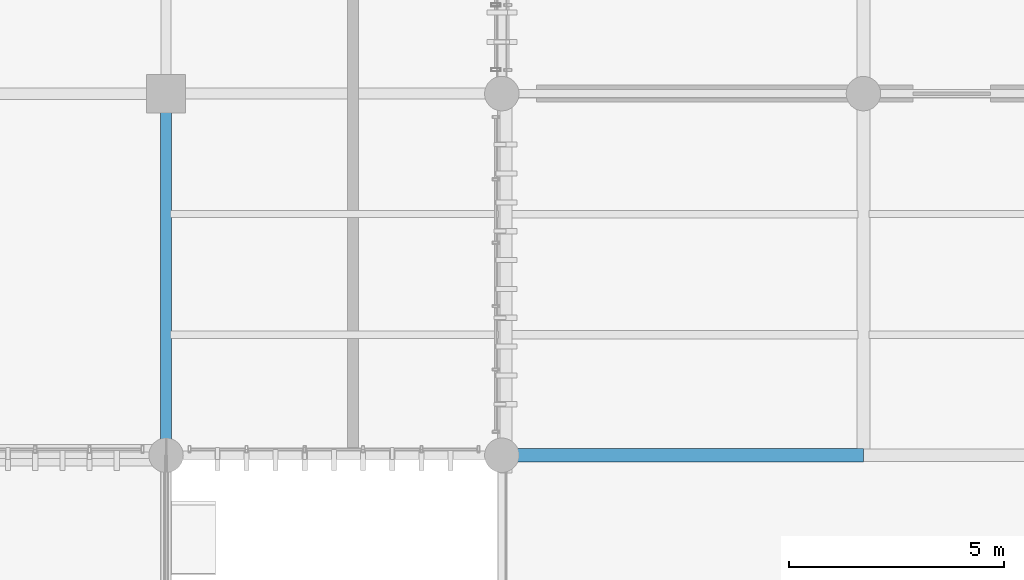
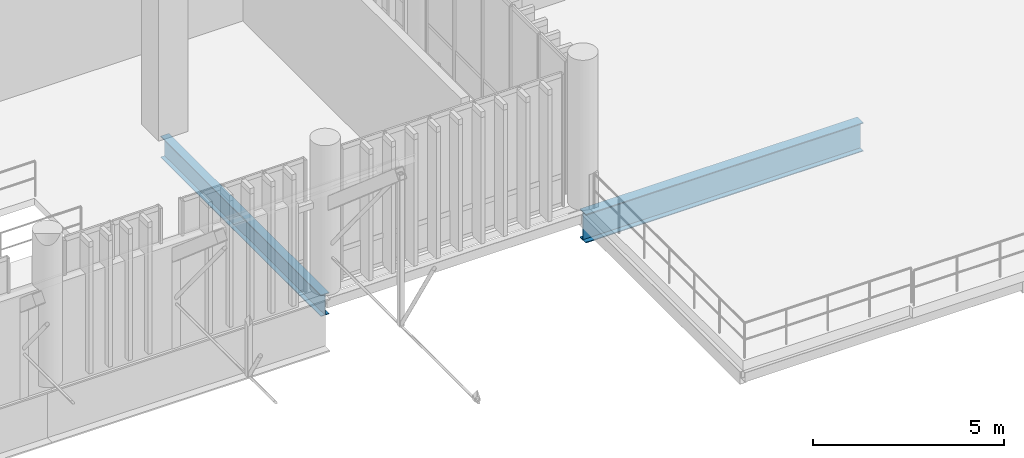
# One storey, part 23 of 109: 2 beams.
"""IFC4 building model written with IfcOpenShell, lengths in metres."""

from ifc_helpers import new_model, si_unit, direction, frame, origin_with_axes, origin_2d_with_axis, place, context, subcontext, project, spatial, i_section, extrude, material, material_profile, profile_set, type_object, element, save


model = new_model("IFC4")

# Units and contexts
model_context = context("Model", 3, precision=1e-05, world=origin_with_axes(), true_north=direction((0.0, 1.0)))
body_context = subcontext(model_context, "Body", "Model", "MODEL_VIEW")
ifc_project = project(units=[si_unit("LENGTHUNIT", "METRE"), si_unit("AREAUNIT", "SQUARE_METRE"), si_unit("VOLUMEUNIT", "CUBIC_METRE"), si_unit("PLANEANGLEUNIT", "RADIAN"), si_unit("MASSUNIT", "GRAM", prefix="KILO"), si_unit("THERMODYNAMICTEMPERATUREUNIT", "KELVIN")], contexts=[model_context])

# Site, building, storey
site_placement = place(None, origin_with_axes())
site = spatial("IfcSite", under=ifc_project, at=site_placement, CompositionType="ELEMENT")
building_placement = place(site_placement, origin_with_axes())
building = spatial("IfcBuilding", under=site, at=building_placement, Name="Montbau Bow Law Courts", CompositionType="ELEMENT")
storey_placement = place(building_placement, frame((0.0, 0.0, 10.8), z_axis=(0.0, 0.0, 1.0), x_axis=(1.0, 0.0, 0.0)))
storey = spatial("IfcBuildingStorey", under=building, at=storey_placement, Name="L02", CompositionType="ELEMENT", Elevation=10.8)

# Beams
ifc_material = material(Name="Steel CSA G40.21 Grade 350W (350 MPa)", Category="steel")
ifc_material_profile_1 = material_profile(ifc_material, i_section(OverallWidth=0.306, OverallDepth=0.919, WebThickness=0.0173, FlangeThickness=0.0279, at=origin_2d_with_axis()), Name="W920X253", Category="Main", Priority=0)
ifc_profile_set_1 = profile_set([ifc_material_profile_1], Name="Steel CSA G40.21 Grade 350W (350 MPa)")
beam_type_1 = type_object("IfcBeamType", Name="B-FLR-01", PredefinedType="BEAM", material=ifc_profile_set_1)
beam_1_placement = place(None, frame((46.8, 30.6, 10.021), z_axis=(1.0, 0.0, 0.0), x_axis=(0.0, 1.0, 0.0)))
element("IfcBeam", 1, at=beam_1_placement, inside=storey, type_object=beam_type_1, Name="BM-L02-S0468:bm2_0471", PredefinedType="BEAM", context=body_context, shape_type="SweptSolid", body=[
    extrude(i_section(OverallWidth=0.306, OverallDepth=0.919, WebThickness=0.0173, FlangeThickness=0.0279, at=origin_2d_with_axis()), origin_with_axes(), (0.0, 0.0, 1.0), 8.4),
])
ifc_material_profile_2 = material_profile(ifc_material, i_section(OverallWidth=0.254, OverallDepth=0.688, WebThickness=0.0131, FlangeThickness=0.0211, at=origin_2d_with_axis()), Name="W690X152", Category="Main", Priority=0)
ifc_profile_set_2 = profile_set([ifc_material_profile_2], Name="Steel CSA G40.21 Grade 350W (350 MPa)")
beam_type_2 = type_object("IfcBeamType", Name="B-FLR-04", PredefinedType="BEAM", material=ifc_profile_set_2)
beam_2_placement = place(None, frame((39.0, 30.6, 10.236), z_axis=(0.0, 1.0, 0.0), x_axis=(-1.0, 0.0, 0.0)))
element("IfcBeam", 2, at=beam_2_placement, inside=storey, type_object=beam_type_2, Name="BM-L02-S0576:bm2_0579", PredefinedType="BEAM", context=body_context, shape_type="SweptSolid", body=[
    extrude(i_section(OverallWidth=0.254, OverallDepth=0.688, WebThickness=0.0131, FlangeThickness=0.0211, at=origin_2d_with_axis()), origin_with_axes(), (0.0, 0.0, 1.0), 8.4),
])

save(model, "model.ifc")
